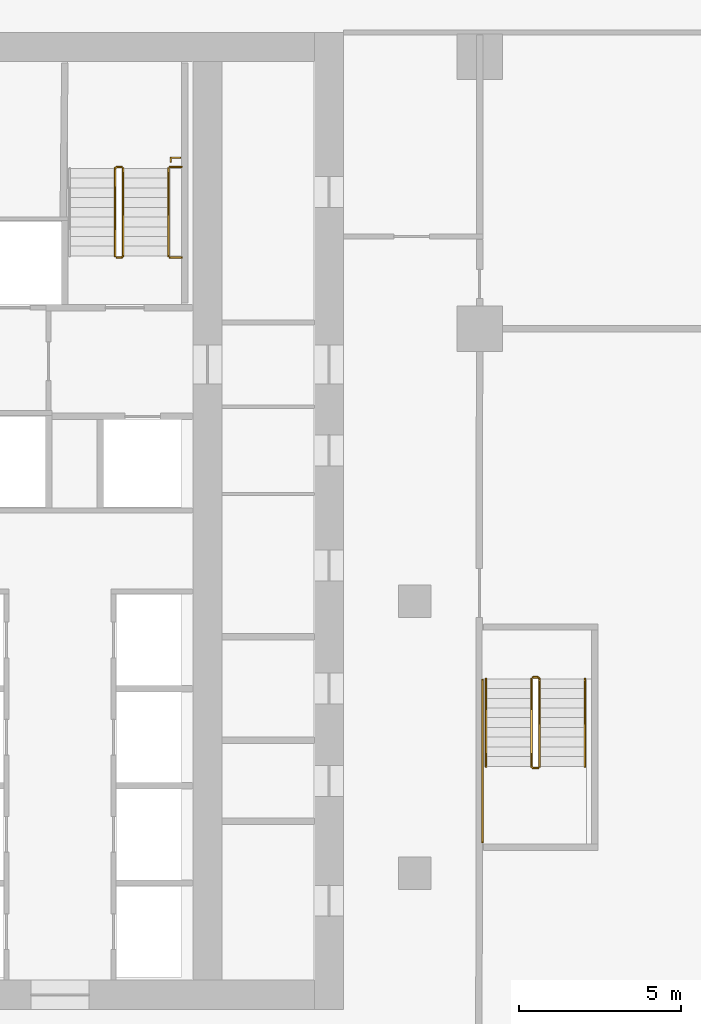
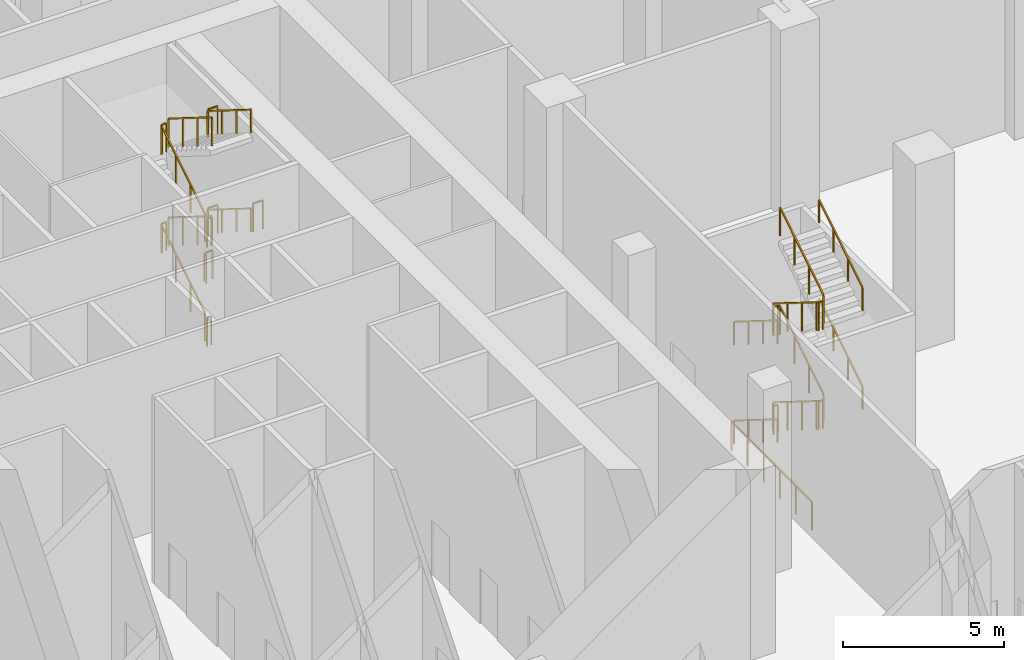
# One storey, part 46 of 53: 21 railings.
"""IFC4 building model written with IfcOpenShell, lengths in metres."""

import ifcopenshell
import ifcopenshell.guid

model = None  # the IFC model being written
_history = None  # IfcOwnerHistory: only IFC2X3 demands one
_inside = {}  # id of a spatial element -> (the spatial element, [elements in it])
_under = {}  # id of a project, library or spatial element -> (it, [spatial elements below it])
_declared = {}  # id of a project -> (the project, [libraries it declares])
_typed = {}  # id of a type object -> (the type object, [elements of that type])
_made_of = {}  # id of a material, layer set ... -> (it, [elements and type objects made of it])


def new_model(schema):
    """Start an empty IFC model of exactly this schema.

    Asked for "IFC4X3", IfcOpenShell would pick the latest addendum, in which some entities
    have other attributes; the version numbers below select the first issue.
    IFC2X3 requires an IfcOwnerHistory on every rooted entity: one is made here for all.
    """
    global model, _history
    if schema == "IFC4X3":
        model = ifcopenshell.file(schema_version=(4, 3, 0, 0))
    else:
        model = ifcopenshell.file(schema=schema)
    _inside.clear()
    _under.clear()
    _declared.clear()
    _typed.clear()
    _made_of.clear()
    _history = None
    if model.schema == "IFC2X3":
        org = make("IfcOrganization", Name="unknown")
        user = make(
            "IfcPersonAndOrganization",
            ThePerson=make("IfcPerson", FamilyName="unknown"),
            TheOrganization=org,
        )
        app = make(
            "IfcApplication",
            ApplicationDeveloper=org,
            Version="unknown",
            ApplicationFullName="unknown",
            ApplicationIdentifier="unknown",
        )
        _history = make(
            "IfcOwnerHistory",
            OwningUser=user,
            OwningApplication=app,
            ChangeAction="ADDED",
            CreationDate=0,
        )
    return model


def make(cls, **values):
    """One entity of the class cls with the attributes given. An attribute that is None is left unset."""
    return model.create_entity(
        cls, **{name: value for name, value in values.items() if value is not None}
    )


def rooted(cls, **values):
    """An entity with a GlobalId (a new one), such as an element, a storey or a relation."""
    return make(cls, GlobalId=ifcopenshell.guid.new(), OwnerHistory=_history, **values)


def si_unit(unit_type, name, prefix=None):
    """IfcSIUnit, for example si_unit("LENGTHUNIT", "METRE", prefix="MILLI")."""
    return make("IfcSIUnit", UnitType=unit_type, Prefix=prefix, Name=name)


def assignment(units):
    """IfcUnitAssignment: the units of a project."""
    return None if units is None else make("IfcUnitAssignment", Units=units)


def point(xyz):
    """IfcCartesianPoint."""
    return None if xyz is None else make("IfcCartesianPoint", Coordinates=xyz)


def direction(xyz):
    """IfcDirection."""
    return None if xyz is None else make("IfcDirection", DirectionRatios=xyz)


def frame(location, z_axis=None, x_axis=None):
    """IfcAxis2Placement3D, a coordinate frame: its origin and axes. An axis left out is left unset."""
    return make(
        "IfcAxis2Placement3D",
        Location=point(location),
        Axis=direction(z_axis),
        RefDirection=direction(x_axis),
    )


def frame_2d(location, x_axis=None):
    """IfcAxis2Placement2D, a coordinate frame in the plane: its origin and x axis."""
    return make(
        "IfcAxis2Placement2D", Location=point(location), RefDirection=direction(x_axis)
    )


def origin():
    """The frame at (0, 0, 0) with its axes left unset."""
    return frame((0.0, 0.0, 0.0))


def origin_2d():
    """The frame at (0, 0) in the plane with its x axis left unset."""
    return frame_2d((0.0, 0.0))


def place(relative_to, where):
    """IfcLocalPlacement: puts the frame where relative to a parent placement (None: the world)."""
    return make(
        "IfcLocalPlacement", PlacementRelTo=relative_to, RelativePlacement=where
    )


def context(
    kind, dimensions, precision=None, world=None, true_north=None, identifier=None
):
    """IfcGeometricRepresentationContext, for example the 3D "Model" context."""
    return make(
        "IfcGeometricRepresentationContext",
        ContextIdentifier=identifier,
        ContextType=kind,
        CoordinateSpaceDimension=dimensions,
        Precision=precision,
        WorldCoordinateSystem=world,
        TrueNorth=true_north,
    )


def subcontext(parent, identifier, kind, view, scale=None):
    """IfcGeometricRepresentationSubContext, for example "Body" below "Model"."""
    return make(
        "IfcGeometricRepresentationSubContext",
        ContextIdentifier=identifier,
        ContextType=kind,
        ParentContext=parent,
        TargetScale=scale,
        TargetView=view,
    )


def project(units=None, contexts=None):
    """IfcProject with its units and contexts."""
    return rooted(
        "IfcProject",
        Name="project",
        RepresentationContexts=contexts,
        UnitsInContext=assignment(units),
    )


def spatial(cls, under=None, at=None, **own):
    """A site, building, storey or space (cls), placed at a placement, below another one or the project."""
    s = rooted(cls, ObjectPlacement=at, **own)
    if under is not None:
        _under.setdefault(under.id(), (under, []))[1].append(s)
    return s


def profile(cls, at=None, kind="AREA", **sizes):
    """A parametric profile (cls). Its sizes go by their IFC names, for example OverallWidth=200.0."""
    return make(cls, ProfileType=kind, Position=at, **sizes)


def rectangle(**sizes):
    """IfcRectangleProfileDef."""
    return profile("IfcRectangleProfileDef", **sizes)


def extrude(swept, where, along, depth):
    """IfcExtrudedAreaSolid: the profile swept, set in the frame where, extruded along a direction by depth."""
    return make(
        "IfcExtrudedAreaSolid",
        SweptArea=swept,
        Position=where,
        ExtrudedDirection=direction(along),
        Depth=depth,
    )


def shape(context_of_items, identifier, shape_type, items):
    """IfcShapeRepresentation: the items that make up one representation, for example the "Body"."""
    return make(
        "IfcShapeRepresentation",
        ContextOfItems=context_of_items,
        RepresentationIdentifier=identifier,
        RepresentationType=shape_type,
        Items=items,
    )


def material(Name=None, Category=None):
    """IfcMaterial."""
    return make("IfcMaterial", Name=Name, Category=Category)


def made_of(thing, what):
    """Note that an element or type object is made of a material, layer set ...; save() writes the relation."""
    if what is not None:
        _made_of.setdefault(what.id(), (what, []))[1].append(thing)
    return thing


def type_object(cls, material=None, **own):
    """A type object (cls), such as IfcWallType, which elements share."""
    return made_of(rooted(cls, **own), material)


def element(
    cls,
    number,
    at=None,
    inside=None,
    cuts=None,
    type_object=None,
    material=None,
    context=None,
    identifier="Body",
    shape_type=None,
    held_by="IfcProductDefinitionShape",
    body=None,
    shapes=None,
    **own,
):
    """One element of the class cls, such as IfcWall. Its Tag is "e" and its number.

    at: its placement. inside: the storey or other place that contains it. cuts: it is an
    opening in that element (IfcRelVoidsElement). A single representation is given by context,
    identifier, shape_type and body (its items); several are given by shapes. held_by: the class
    of the entity that holds the representations. save() writes the other relations.
    """
    e = rooted(cls, Tag="e%d" % number, ObjectPlacement=at, **own)
    if body is not None:
        shapes = [shape(context, identifier, shape_type, body)]
    if shapes is not None:
        e.Representation = make(held_by, Representations=shapes)
    if inside is not None:
        _inside.setdefault(inside.id(), (inside, []))[1].append(e)
    if cuts is not None:
        rooted(
            "IfcRelVoidsElement", RelatingBuildingElement=cuts, RelatedOpeningElement=e
        )
    if type_object is not None:
        _typed.setdefault(type_object.id(), (type_object, []))[1].append(e)
    return made_of(e, material)


def aggregate(whole, parts):
    """IfcRelAggregates: a whole, such as a stair, and the parts it consists of."""
    return rooted("IfcRelAggregates", RelatingObject=whole, RelatedObjects=parts)


def save(model, path):
    """Write the relations noted so far, then the file.

    IfcRelAggregates (storeys below a building ...), IfcRelContainedInSpatialStructure (elements
    in a storey), IfcRelDefinesByType, IfcRelAssociatesMaterial and IfcRelDeclares: one each for
    every whole, place, type object, material and project.
    """
    for whole, parts in _under.values():
        aggregate(whole, parts)
    for where, things in _inside.values():
        rooted(
            "IfcRelContainedInSpatialStructure",
            RelatedElements=things,
            RelatingStructure=where,
        )
    for kind, things in _typed.values():
        rooted("IfcRelDefinesByType", RelatedObjects=things, RelatingType=kind)
    for what, things in _made_of.values():
        rooted("IfcRelAssociatesMaterial", RelatedObjects=things, RelatingMaterial=what)
    for by, libraries in _declared.values():
        rooted("IfcRelDeclares", RelatingContext=by, RelatedDefinitions=libraries)
    model.write(path)


model = new_model("IFC4")

# Units and contexts
model_context = context("Model", 3, precision=1e-05, world=origin(), true_north=direction((0.0, 1.0)))
body_context = subcontext(model_context, "Body", "Model", "MODEL_VIEW")
ifc_project = project(units=[si_unit("LENGTHUNIT", "METRE"), si_unit("AREAUNIT", "SQUARE_METRE"), si_unit("VOLUMEUNIT", "CUBIC_METRE"), si_unit("PLANEANGLEUNIT", "RADIAN"), si_unit("MASSUNIT", "GRAM", prefix="KILO")], contexts=[model_context])

# Site, building, storey
site_placement = place(None, origin())
site = spatial("IfcSite", under=ifc_project, at=site_placement, CompositionType="ELEMENT")
building_placement = place(site_placement, origin())
building = spatial("IfcBuilding", under=site, at=building_placement, Name="Vermilion Ogive Tower", CompositionType="ELEMENT")
storey_placement = place(building_placement, origin())
storey = spatial("IfcBuildingStorey", under=building, at=storey_placement, Name="L00", CompositionType="ELEMENT", Elevation=0.0)

# Railings
ifc_material_1 = material(Name="Steel S355 painted", Category="steel")
railing_type_1 = type_object("IfcRailingType", Name="Stair guard 1100", PredefinedType="GUARDRAIL", material=ifc_material_1)
railing_1_placement = place(storey_placement, frame((5.550048828125, 14.85009765625, 0.1875)))
element("IfcRailing", 1, at=railing_1_placement, inside=storey, type_object=railing_type_1, Name="L00 ST2 stair guard 1", PredefinedType="GUARDRAIL", context=body_context, shape_type="SweptSolid", body=[
    extrude(rectangle(XDim=0.048095703125, YDim=0.048095703125, at=origin_2d()), frame((0.0, 0.0, 1.076171875), z_axis=(0.0, 0.847993996163, 0.530005832488), x_axis=(-1.0, 0.0, 0.0)), (0.0, 0.0, 1.0), 3.183837890625),
    extrude(rectangle(XDim=0.048095703125, YDim=0.048095703125, at=origin_2d()), frame((0.0, 2.699951171875, 2.763671875), z_axis=(0.707106781187, 0.707106781187, 0.0), x_axis=(-0.707106781187, 0.707106781187, 0.0)), (0.0, 0.0, 1.0), 0.07080078125),
    extrude(rectangle(XDim=0.048095703125, YDim=0.048095703125, at=origin_2d()), frame((0.050048828125, 2.75, 2.763671875), z_axis=(1.0, 0.0, 0.0), x_axis=(0.0, 1.0, 0.0)), (0.0, 0.0, 1.0), 0.14990234375),
    extrude(rectangle(XDim=0.0419921875, YDim=0.0419921875, at=origin_2d()), origin(), (0.0, 0.0, 1.0), 1.052001953125),
    extrude(rectangle(XDim=0.0419921875, YDim=0.0419921875, at=origin_2d()), frame((0.0, 0.89990234375, 0.5625)), (0.0, 0.0, 1.0), 1.052001953125),
    extrude(rectangle(XDim=0.0419921875, YDim=0.0419921875, at=origin_2d()), frame((0.0, 1.800048828125, 1.125)), (0.0, 0.0, 1.0), 1.052001953125),
    extrude(rectangle(XDim=0.0419921875, YDim=0.0419921875, at=origin_2d()), frame((0.0, 2.699951171875, 1.6875)), (0.0, 0.0, 1.0), 1.052001953125),
    extrude(rectangle(XDim=0.0419921875, YDim=0.0419921875, at=origin_2d()), frame((0.050048828125, 2.75, 1.6875)), (0.0, 0.0, 1.0), 1.052001953125),
    extrude(rectangle(XDim=0.0419921875, YDim=0.0419921875, at=origin_2d()), frame((0.199951171875, 2.75, 1.6875)), (0.0, 0.0, 1.0), 1.052001953125),
])
railing_2_placement = place(storey_placement, frame((5.800048828125, 17.550048828125, 2.0625)))
element("IfcRailing", 2, at=railing_2_placement, inside=storey, type_object=railing_type_1, Name="L00 ST2 stair guard 3", PredefinedType="GUARDRAIL", context=body_context, shape_type="SweptSolid", body=[
    extrude(rectangle(XDim=0.048095703125, YDim=0.048095703125, at=origin_2d()), frame((0.0, 0.0, 1.076171875), z_axis=(0.0, -0.847993996163, 0.530005832488), x_axis=(1.0, 0.0, 0.0)), (0.0, 0.0, 1.0), 3.183837890625),
    extrude(rectangle(XDim=0.048095703125, YDim=0.048095703125, at=origin_2d()), frame((0.0, -2.699951171875, 2.763671875), z_axis=(-0.707106781187, -0.707106781187, 0.0), x_axis=(0.707106781187, -0.707106781187, 0.0)), (0.0, 0.0, 1.0), 0.07080078125),
    extrude(rectangle(XDim=0.048095703125, YDim=0.048095703125, at=origin_2d()), frame((-0.050048828125, -2.75, 2.763671875), z_axis=(-1.0, 0.0, 0.0), x_axis=(0.0, -1.0, 0.0)), (0.0, 0.0, 1.0), 0.14990234375),
    extrude(rectangle(XDim=0.0419921875, YDim=0.0419921875, at=origin_2d()), origin(), (0.0, 0.0, 1.0), 1.052001953125),
    extrude(rectangle(XDim=0.0419921875, YDim=0.0419921875, at=origin_2d()), frame((0.0, -0.89990234375, 0.5625)), (0.0, 0.0, 1.0), 1.052001953125),
    extrude(rectangle(XDim=0.0419921875, YDim=0.0419921875, at=origin_2d()), frame((0.0, -1.800048828125, 1.125)), (0.0, 0.0, 1.0), 1.052001953125),
    extrude(rectangle(XDim=0.0419921875, YDim=0.0419921875, at=origin_2d()), frame((0.0, -2.699951171875, 1.6875)), (0.0, 0.0, 1.0), 1.052001953125),
    extrude(rectangle(XDim=0.0419921875, YDim=0.0419921875, at=origin_2d()), frame((-0.050048828125, -2.75, 1.6875)), (0.0, 0.0, 1.0), 1.052001953125),
    extrude(rectangle(XDim=0.0419921875, YDim=0.0419921875, at=origin_2d()), frame((-0.199951171875, -2.75, 1.6875)), (0.0, 0.0, 1.0), 1.052001953125),
])
railing_3_placement = place(storey_placement, frame((5.550048828125, 14.85009765625, 3.9375)))
element("IfcRailing", 3, at=railing_3_placement, inside=storey, type_object=railing_type_1, Name="L00 ST2 stair guard 5", PredefinedType="GUARDRAIL", context=body_context, shape_type="SweptSolid", body=[
    extrude(rectangle(XDim=0.048095703125, YDim=0.048095703125, at=origin_2d()), frame((0.0, 0.0, 1.076171875), z_axis=(0.0, 0.847993996163, 0.530005832488), x_axis=(-1.0, 0.0, 0.0)), (0.0, 0.0, 1.0), 3.183837890625),
    extrude(rectangle(XDim=0.048095703125, YDim=0.048095703125, at=origin_2d()), frame((0.0, 2.699951171875, 2.763671875), z_axis=(0.707106781187, 0.707106781187, 0.0), x_axis=(-0.707106781187, 0.707106781187, 0.0)), (0.0, 0.0, 1.0), 0.07080078125),
    extrude(rectangle(XDim=0.048095703125, YDim=0.048095703125, at=origin_2d()), frame((0.050048828125, 2.75, 2.763671875), z_axis=(1.0, 0.0, 0.0), x_axis=(0.0, 1.0, 0.0)), (0.0, 0.0, 1.0), 0.14990234375),
    extrude(rectangle(XDim=0.0419921875, YDim=0.0419921875, at=origin_2d()), origin(), (0.0, 0.0, 1.0), 1.052001953125),
    extrude(rectangle(XDim=0.0419921875, YDim=0.0419921875, at=origin_2d()), frame((0.0, 0.89990234375, 0.5625)), (0.0, 0.0, 1.0), 1.052001953125),
    extrude(rectangle(XDim=0.0419921875, YDim=0.0419921875, at=origin_2d()), frame((0.0, 1.800048828125, 1.125)), (0.0, 0.0, 1.0), 1.052001953125),
    extrude(rectangle(XDim=0.0419921875, YDim=0.0419921875, at=origin_2d()), frame((0.0, 2.699951171875, 1.6875)), (0.0, 0.0, 1.0), 1.052001953125),
    extrude(rectangle(XDim=0.0419921875, YDim=0.0419921875, at=origin_2d()), frame((0.050048828125, 2.75, 1.6875)), (0.0, 0.0, 1.0), 1.052001953125),
    extrude(rectangle(XDim=0.0419921875, YDim=0.0419921875, at=origin_2d()), frame((0.199951171875, 2.75, 1.6875)), (0.0, 0.0, 1.0), 1.052001953125),
])
railing_4_placement = place(storey_placement, frame((5.800048828125, 17.550048828125, 5.8125)))
element("IfcRailing", 4, at=railing_4_placement, inside=storey, type_object=railing_type_1, Name="L00 ST2 stair guard 7", PredefinedType="GUARDRAIL", context=body_context, shape_type="SweptSolid", body=[
    extrude(rectangle(XDim=0.048095703125, YDim=0.048095703125, at=origin_2d()), frame((0.0, 0.0, 1.076171875), z_axis=(0.0, -0.847993996163, 0.530005832488), x_axis=(1.0, 0.0, 0.0)), (0.0, 0.0, 1.0), 3.183837890625),
    extrude(rectangle(XDim=0.0419921875, YDim=0.0419921875, at=origin_2d()), origin(), (0.0, 0.0, 1.0), 1.052001953125),
    extrude(rectangle(XDim=0.0419921875, YDim=0.0419921875, at=origin_2d()), frame((0.0, -0.89990234375, 0.5625)), (0.0, 0.0, 1.0), 1.052001953125),
    extrude(rectangle(XDim=0.0419921875, YDim=0.0419921875, at=origin_2d()), frame((0.0, -1.800048828125, 1.125)), (0.0, 0.0, 1.0), 1.052001953125),
    extrude(rectangle(XDim=0.0419921875, YDim=0.0419921875, at=origin_2d()), frame((0.0, -2.699951171875, 1.6875)), (0.0, 0.0, 1.0), 1.052001953125),
])
railing_5_placement = place(storey_placement, frame((5.60009765625, 14.800048828125, 0.0)))
element("IfcRailing", 5, at=railing_5_placement, inside=storey, type_object=railing_type_1, Name="L00 ST2 stair guard 8", PredefinedType="GUARDRAIL", context=body_context, shape_type="SweptSolid", body=[
    extrude(rectangle(XDim=0.048095703125, YDim=0.048095703125, at=origin_2d()), frame((0.0, 0.0, 1.076171875), z_axis=(1.0, 0.0, 0.0), x_axis=(0.0, 1.0, 0.0)), (0.0, 0.0, 1.0), 0.14990234375),
    extrude(rectangle(XDim=0.0419921875, YDim=0.0419921875, at=origin_2d()), origin(), (0.0, 0.0, 1.0), 1.052001953125),
    extrude(rectangle(XDim=0.0419921875, YDim=0.0419921875, at=origin_2d()), frame((0.14990234375, 0.0, 0.0)), (0.0, 0.0, 1.0), 1.052001953125),
])
railing_6_placement = place(storey_placement, frame((18.39990234375, 1.800048828125, 0.1875)))
element("IfcRailing", 6, at=railing_6_placement, inside=storey, type_object=railing_type_1, Name="L00 ST8 stair guard 1", PredefinedType="GUARDRAIL", context=body_context, shape_type="SweptSolid", body=[
    extrude(rectangle(XDim=0.048095703125, YDim=0.048095703125, at=origin_2d()), frame((0.0, 0.0, 1.076171875), z_axis=(0.0, -0.847993996163, 0.530005832488), x_axis=(1.0, 0.0, 0.0)), (0.0, 0.0, 1.0), 3.183837890625),
    extrude(rectangle(XDim=0.048095703125, YDim=0.048095703125, at=origin_2d()), frame((0.0, -2.699951171875, 2.763671875), z_axis=(0.707106781187, -0.707106781187, 0.0), x_axis=(0.707106781187, 0.707106781187, 0.0)), (0.0, 0.0, 1.0), 0.07080078125),
    extrude(rectangle(XDim=0.048095703125, YDim=0.048095703125, at=origin_2d()), frame((0.050048828125, -2.75, 2.763671875), z_axis=(1.0, 0.0, 0.0), x_axis=(0.0, 1.0, 0.0)), (0.0, 0.0, 1.0), 0.150146484375),
    extrude(rectangle(XDim=0.0419921875, YDim=0.0419921875, at=origin_2d()), origin(), (0.0, 0.0, 1.0), 1.052001953125),
    extrude(rectangle(XDim=0.0419921875, YDim=0.0419921875, at=origin_2d()), frame((0.0, -0.89990234375, 0.5625)), (0.0, 0.0, 1.0), 1.052001953125),
    extrude(rectangle(XDim=0.0419921875, YDim=0.0419921875, at=origin_2d()), frame((0.0, -1.800048828125, 1.125)), (0.0, 0.0, 1.0), 1.052001953125),
    extrude(rectangle(XDim=0.0419921875, YDim=0.0419921875, at=origin_2d()), frame((0.0, -2.699951171875, 1.6875)), (0.0, 0.0, 1.0), 1.052001953125),
    extrude(rectangle(XDim=0.0419921875, YDim=0.0419921875, at=origin_2d()), frame((0.050048828125, -2.75, 1.6875)), (0.0, 0.0, 1.0), 1.052001953125),
    extrude(rectangle(XDim=0.0419921875, YDim=0.0419921875, at=origin_2d()), frame((0.2001953125, -2.75, 1.6875)), (0.0, 0.0, 1.0), 1.052001953125),
])
railing_7_placement = place(storey_placement, frame((18.64990234375, -0.89990234375, 2.0625)))
element("IfcRailing", 7, at=railing_7_placement, inside=storey, type_object=railing_type_1, Name="L00 ST8 stair guard 3", PredefinedType="GUARDRAIL", context=body_context, shape_type="SweptSolid", body=[
    extrude(rectangle(XDim=0.048095703125, YDim=0.048095703125, at=origin_2d()), frame((0.0, 0.0, 1.076171875), z_axis=(0.0, 0.847993996163, 0.530005832488), x_axis=(-1.0, 0.0, 0.0)), (0.0, 0.0, 1.0), 3.183837890625),
    extrude(rectangle(XDim=0.048095703125, YDim=0.048095703125, at=origin_2d()), frame((0.0, 2.699951171875, 2.763671875), z_axis=(-0.705375805398, 0.708833529934, 0.0), x_axis=(-0.708833529934, -0.705375805398, 0.0)), (0.0, 0.0, 1.0), 0.070556640625),
    extrude(rectangle(XDim=0.048095703125, YDim=0.048095703125, at=origin_2d()), frame((-0.0498046875, 2.75, 2.763671875), z_axis=(-1.0, 0.0, 0.0), x_axis=(0.0, -1.0, 0.0)), (0.0, 0.0, 1.0), 0.150146484375),
    extrude(rectangle(XDim=0.0419921875, YDim=0.0419921875, at=origin_2d()), origin(), (0.0, 0.0, 1.0), 1.052001953125),
    extrude(rectangle(XDim=0.0419921875, YDim=0.0419921875, at=origin_2d()), frame((0.0, 0.89990234375, 0.5625)), (0.0, 0.0, 1.0), 1.052001953125),
    extrude(rectangle(XDim=0.0419921875, YDim=0.0419921875, at=origin_2d()), frame((0.0, 1.800048828125, 1.125)), (0.0, 0.0, 1.0), 1.052001953125),
    extrude(rectangle(XDim=0.0419921875, YDim=0.0419921875, at=origin_2d()), frame((0.0, 2.699951171875, 1.6875)), (0.0, 0.0, 1.0), 1.052001953125),
    extrude(rectangle(XDim=0.0419921875, YDim=0.0419921875, at=origin_2d()), frame((-0.0498046875, 2.75, 1.6875)), (0.0, 0.0, 1.0), 1.052001953125),
    extrude(rectangle(XDim=0.0419921875, YDim=0.0419921875, at=origin_2d()), frame((-0.199951171875, 2.75, 1.6875)), (0.0, 0.0, 1.0), 1.052001953125),
])
railing_8_placement = place(storey_placement, frame((18.39990234375, 1.800048828125, 3.9375)))
element("IfcRailing", 8, at=railing_8_placement, inside=storey, type_object=railing_type_1, Name="L00 ST8 stair guard 5", PredefinedType="GUARDRAIL", context=body_context, shape_type="SweptSolid", body=[
    extrude(rectangle(XDim=0.048095703125, YDim=0.048095703125, at=origin_2d()), frame((0.0, 0.0, 1.076171875), z_axis=(0.0, -0.847993996163, 0.530005832488), x_axis=(1.0, 0.0, 0.0)), (0.0, 0.0, 1.0), 3.183837890625),
    extrude(rectangle(XDim=0.048095703125, YDim=0.048095703125, at=origin_2d()), frame((0.0, -2.699951171875, 2.763671875), z_axis=(0.707106781187, -0.707106781187, 0.0), x_axis=(0.707106781187, 0.707106781187, 0.0)), (0.0, 0.0, 1.0), 0.07080078125),
    extrude(rectangle(XDim=0.048095703125, YDim=0.048095703125, at=origin_2d()), frame((0.050048828125, -2.75, 2.763671875), z_axis=(1.0, 0.0, 0.0), x_axis=(0.0, 1.0, 0.0)), (0.0, 0.0, 1.0), 0.150146484375),
    extrude(rectangle(XDim=0.0419921875, YDim=0.0419921875, at=origin_2d()), origin(), (0.0, 0.0, 1.0), 1.052001953125),
    extrude(rectangle(XDim=0.0419921875, YDim=0.0419921875, at=origin_2d()), frame((0.0, -0.89990234375, 0.5625)), (0.0, 0.0, 1.0), 1.052001953125),
    extrude(rectangle(XDim=0.0419921875, YDim=0.0419921875, at=origin_2d()), frame((0.0, -1.800048828125, 1.125)), (0.0, 0.0, 1.0), 1.052001953125),
    extrude(rectangle(XDim=0.0419921875, YDim=0.0419921875, at=origin_2d()), frame((0.0, -2.699951171875, 1.6875)), (0.0, 0.0, 1.0), 1.052001953125),
    extrude(rectangle(XDim=0.0419921875, YDim=0.0419921875, at=origin_2d()), frame((0.050048828125, -2.75, 1.6875)), (0.0, 0.0, 1.0), 1.052001953125),
    extrude(rectangle(XDim=0.0419921875, YDim=0.0419921875, at=origin_2d()), frame((0.2001953125, -2.75, 1.6875)), (0.0, 0.0, 1.0), 1.052001953125),
])
railing_9_placement = place(storey_placement, frame((18.64990234375, -0.89990234375, 5.8125)))
element("IfcRailing", 9, at=railing_9_placement, inside=storey, type_object=railing_type_1, Name="L00 ST8 stair guard 7", PredefinedType="GUARDRAIL", context=body_context, shape_type="SweptSolid", body=[
    extrude(rectangle(XDim=0.048095703125, YDim=0.048095703125, at=origin_2d()), frame((0.0, 0.0, 1.076171875), z_axis=(0.0, 0.847993996163, 0.530005832488), x_axis=(-1.0, 0.0, 0.0)), (0.0, 0.0, 1.0), 3.183837890625),
    extrude(rectangle(XDim=0.0419921875, YDim=0.0419921875, at=origin_2d()), origin(), (0.0, 0.0, 1.0), 1.052001953125),
    extrude(rectangle(XDim=0.0419921875, YDim=0.0419921875, at=origin_2d()), frame((0.0, 0.89990234375, 0.5625)), (0.0, 0.0, 1.0), 1.052001953125),
    extrude(rectangle(XDim=0.0419921875, YDim=0.0419921875, at=origin_2d()), frame((0.0, 1.800048828125, 1.125)), (0.0, 0.0, 1.0), 1.052001953125),
    extrude(rectangle(XDim=0.0419921875, YDim=0.0419921875, at=origin_2d()), frame((0.0, 2.699951171875, 1.6875)), (0.0, 0.0, 1.0), 1.052001953125),
])
railing_10_placement = place(storey_placement, frame((18.449951171875, 1.85009765625, 0.0)))
element("IfcRailing", 10, at=railing_10_placement, inside=storey, type_object=railing_type_1, Name="L00 ST8 stair guard 8", PredefinedType="GUARDRAIL", context=body_context, shape_type="SweptSolid", body=[
    extrude(rectangle(XDim=0.048095703125, YDim=0.048095703125, at=origin_2d()), frame((0.0, 0.0, 1.076171875), z_axis=(1.0, 0.0, 0.0), x_axis=(0.0, 1.0, 0.0)), (0.0, 0.0, 1.0), 0.150146484375),
    extrude(rectangle(XDim=0.0419921875, YDim=0.0419921875, at=origin_2d()), origin(), (0.0, 0.0, 1.0), 1.052001953125),
    extrude(rectangle(XDim=0.0419921875, YDim=0.0419921875, at=origin_2d()), frame((0.150146484375, 0.0, 0.0)), (0.0, 0.0, 1.0), 1.052001953125),
])
for number, where, name in (
    (11, (7.25, 17.60009765625, 1.875), "L00 landing guard"),
    (12, (7.25, 14.800048828125, 3.75), "L00 landing guard"),
    (13, (7.25, 17.60009765625, 5.625), "L00 landing guard"),
):
    element("IfcRailing", number, at=place(storey_placement, frame(where)), inside=storey, type_object=railing_type_1, Name=name, PredefinedType="GUARDRAIL", context=body_context, shape_type="SweptSolid", body=[
        extrude(rectangle(XDim=0.048095703125, YDim=0.048095703125, at=origin_2d()), frame((0.0, 0.0, 1.076171875), z_axis=(1.0, 0.0, 0.0), x_axis=(0.0, 1.0, 0.0)), (0.0, 0.0, 1.0), 0.35009765625),
        extrude(rectangle(XDim=0.0419921875, YDim=0.0419921875, at=origin_2d()), origin(), (0.0, 0.0, 1.0), 1.052001953125),
        extrude(rectangle(XDim=0.0419921875, YDim=0.0419921875, at=origin_2d()), frame((0.35009765625, 0.0, 0.0)), (0.0, 0.0, 1.0), 1.052001953125),
    ])
railing_11_placement = place(storey_placement, frame((16.889892578125, -3.239990234375, 0.0)))
element("IfcRailing", 14, at=railing_11_placement, inside=storey, type_object=railing_type_1, Name="L00 stair opening guard", PredefinedType="GUARDRAIL", context=body_context, shape_type="SweptSolid", body=[
    extrude(rectangle(XDim=0.048095703125, YDim=0.048095703125, at=origin_2d()), frame((0.0, 0.0, 1.076171875), z_axis=(0.0, 1.0, 0.0), x_axis=(-1.0, 0.0, 0.0)), (0.0, 0.0, 1.0), 5.010009765625),
    extrude(rectangle(XDim=0.0419921875, YDim=0.0419921875, at=origin_2d()), origin(), (0.0, 0.0, 1.0), 1.052001953125),
    extrude(rectangle(XDim=0.0419921875, YDim=0.0419921875, at=origin_2d()), frame((0.0, 1.001953125, 0.0)), (0.0, 0.0, 1.0), 1.052001953125),
    extrude(rectangle(XDim=0.0419921875, YDim=0.0419921875, at=origin_2d()), frame((0.0, 2.00390625, 0.0)), (0.0, 0.0, 1.0), 1.052001953125),
    extrude(rectangle(XDim=0.0419921875, YDim=0.0419921875, at=origin_2d()), frame((0.0, 3.006103515625, 0.0)), (0.0, 0.0, 1.0), 1.052001953125),
    extrude(rectangle(XDim=0.0419921875, YDim=0.0419921875, at=origin_2d()), frame((0.0, 4.008056640625, 0.0)), (0.0, 0.0, 1.0), 1.052001953125),
    extrude(rectangle(XDim=0.0419921875, YDim=0.0419921875, at=origin_2d()), frame((0.0, 5.010009765625, 0.0)), (0.0, 0.0, 1.0), 1.052001953125),
])
railing_12_placement = place(storey_placement, frame((7.27294921875, 17.754638671875, 0.0)))
element("IfcRailing", 15, at=railing_12_placement, inside=storey, type_object=railing_type_1, Name="L00 stair opening guard", PredefinedType="GUARDRAIL", context=body_context, shape_type="SweptSolid", body=[
    extrude(rectangle(XDim=0.048095703125, YDim=0.048095703125, at=origin_2d()), frame((0.0, 0.0, 1.076171875), z_axis=(0.0, 1.0, 0.0), x_axis=(-1.0, 0.0, 0.0)), (0.0, 0.0, 1.0), 0.119873046875),
    extrude(rectangle(XDim=0.048095703125, YDim=0.048095703125, at=origin_2d()), frame((0.0, 0.119873046875, 1.076171875), z_axis=(1.0, 0.0, 0.0), x_axis=(0.0, 1.0, 0.0)), (0.0, 0.0, 1.0), 0.2900390625),
    extrude(rectangle(XDim=0.0419921875, YDim=0.0419921875, at=origin_2d()), origin(), (0.0, 0.0, 1.0), 1.052001953125),
    extrude(rectangle(XDim=0.0419921875, YDim=0.0419921875, at=origin_2d()), frame((0.0, 0.119873046875, 0.0)), (0.0, 0.0, 1.0), 1.052001953125),
    extrude(rectangle(XDim=0.0419921875, YDim=0.0419921875, at=origin_2d()), frame((0.2900390625, 0.119873046875, 0.0)), (0.0, 0.0, 1.0), 1.052001953125),
])
ifc_material_2 = material(Name="Stainless steel", Category="steel")
railing_type_2 = type_object("IfcRailingType", Name="Stair handrail 900", PredefinedType="HANDRAIL", material=ifc_material_2)
for number, where, name in (
    (16, (7.199951171875, 17.550048828125, 2.0625), "L00 ST2 stair handrail 2"),
    (17, (7.199951171875, 17.550048828125, 5.8125), "L00 ST2 stair handrail 4"),
    (18, (17.0, 1.800048828125, 0.1875), "L00 ST8 stair handrail 1"),
):
    element("IfcRailing", number, at=place(storey_placement, frame(where)), inside=storey, type_object=railing_type_2, Name=name, PredefinedType="HANDRAIL", context=body_context, shape_type="SweptSolid", body=[
        extrude(rectangle(XDim=0.048095703125, YDim=0.048095703125, at=origin_2d()), frame((0.0, 0.0, 0.8759765625), z_axis=(0.0, -0.847993996163, 0.530005832488), x_axis=(1.0, 0.0, 0.0)), (0.0, 0.0, 1.0), 3.183837890625),
        extrude(rectangle(XDim=0.0419921875, YDim=0.0419921875, at=origin_2d()), origin(), (0.0, 0.0, 1.0), 0.851806640625),
        extrude(rectangle(XDim=0.0419921875, YDim=0.0419921875, at=origin_2d()), frame((0.0, -0.89990234375, 0.5625)), (0.0, 0.0, 1.0), 0.851806640625),
        extrude(rectangle(XDim=0.0419921875, YDim=0.0419921875, at=origin_2d()), frame((0.0, -1.800048828125, 1.125)), (0.0, 0.0, 1.0), 0.851806640625),
        extrude(rectangle(XDim=0.0419921875, YDim=0.0419921875, at=origin_2d()), frame((0.0, -2.699951171875, 1.6875)), (0.0, 0.0, 1.0), 0.851806640625),
    ])
railing_13_placement = place(storey_placement, frame((20.050048828125, -0.89990234375, 2.0625)))
element("IfcRailing", 19, at=railing_13_placement, inside=storey, type_object=railing_type_2, Name="L00 ST8 stair handrail 2", PredefinedType="HANDRAIL", context=body_context, shape_type="SweptSolid", body=[
    extrude(rectangle(XDim=0.048095703125, YDim=0.048095703125, at=origin_2d()), frame((0.0, 0.0, 0.8759765625), z_axis=(0.0, 0.847993996163, 0.530005832488), x_axis=(-1.0, 0.0, 0.0)), (0.0, 0.0, 1.0), 3.183837890625),
    extrude(rectangle(XDim=0.0419921875, YDim=0.0419921875, at=origin_2d()), origin(), (0.0, 0.0, 1.0), 0.851806640625),
    extrude(rectangle(XDim=0.0419921875, YDim=0.0419921875, at=origin_2d()), frame((0.0, 0.89990234375, 0.5625)), (0.0, 0.0, 1.0), 0.851806640625),
    extrude(rectangle(XDim=0.0419921875, YDim=0.0419921875, at=origin_2d()), frame((0.0, 1.800048828125, 1.125)), (0.0, 0.0, 1.0), 0.851806640625),
    extrude(rectangle(XDim=0.0419921875, YDim=0.0419921875, at=origin_2d()), frame((0.0, 2.699951171875, 1.6875)), (0.0, 0.0, 1.0), 0.851806640625),
])
railing_14_placement = place(storey_placement, frame((17.0, 1.800048828125, 3.9375)))
element("IfcRailing", 20, at=railing_14_placement, inside=storey, type_object=railing_type_2, Name="L00 ST8 stair handrail 3", PredefinedType="HANDRAIL", context=body_context, shape_type="SweptSolid", body=[
    extrude(rectangle(XDim=0.048095703125, YDim=0.048095703125, at=origin_2d()), frame((0.0, 0.0, 0.8759765625), z_axis=(0.0, -0.847993996163, 0.530005832488), x_axis=(1.0, 0.0, 0.0)), (0.0, 0.0, 1.0), 3.183837890625),
    extrude(rectangle(XDim=0.0419921875, YDim=0.0419921875, at=origin_2d()), origin(), (0.0, 0.0, 1.0), 0.851806640625),
    extrude(rectangle(XDim=0.0419921875, YDim=0.0419921875, at=origin_2d()), frame((0.0, -0.89990234375, 0.5625)), (0.0, 0.0, 1.0), 0.851806640625),
    extrude(rectangle(XDim=0.0419921875, YDim=0.0419921875, at=origin_2d()), frame((0.0, -1.800048828125, 1.125)), (0.0, 0.0, 1.0), 0.851806640625),
    extrude(rectangle(XDim=0.0419921875, YDim=0.0419921875, at=origin_2d()), frame((0.0, -2.699951171875, 1.6875)), (0.0, 0.0, 1.0), 0.851806640625),
])
railing_15_placement = place(storey_placement, frame((20.050048828125, -0.89990234375, 5.8125)))
element("IfcRailing", 21, at=railing_15_placement, inside=storey, type_object=railing_type_2, Name="L00 ST8 stair handrail 4", PredefinedType="HANDRAIL", context=body_context, shape_type="SweptSolid", body=[
    extrude(rectangle(XDim=0.048095703125, YDim=0.048095703125, at=origin_2d()), frame((0.0, 0.0, 0.8759765625), z_axis=(0.0, 0.847993996163, 0.530005832488), x_axis=(-1.0, 0.0, 0.0)), (0.0, 0.0, 1.0), 3.183837890625),
    extrude(rectangle(XDim=0.0419921875, YDim=0.0419921875, at=origin_2d()), origin(), (0.0, 0.0, 1.0), 0.851806640625),
    extrude(rectangle(XDim=0.0419921875, YDim=0.0419921875, at=origin_2d()), frame((0.0, 0.89990234375, 0.5625)), (0.0, 0.0, 1.0), 0.851806640625),
    extrude(rectangle(XDim=0.0419921875, YDim=0.0419921875, at=origin_2d()), frame((0.0, 1.800048828125, 1.125)), (0.0, 0.0, 1.0), 0.851806640625),
    extrude(rectangle(XDim=0.0419921875, YDim=0.0419921875, at=origin_2d()), frame((0.0, 2.699951171875, 1.6875)), (0.0, 0.0, 1.0), 0.851806640625),
])

save(model, "model.ifc")
